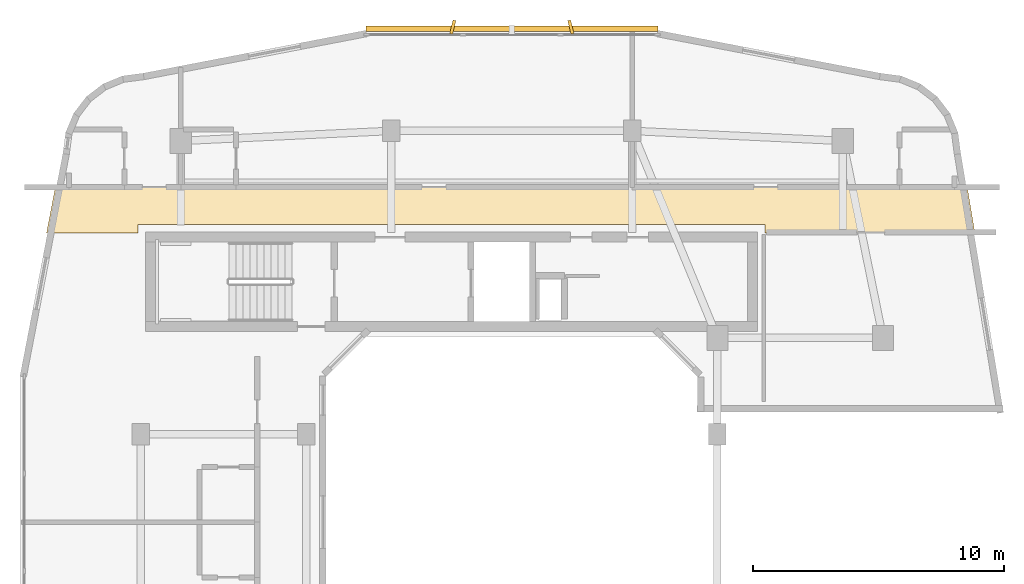
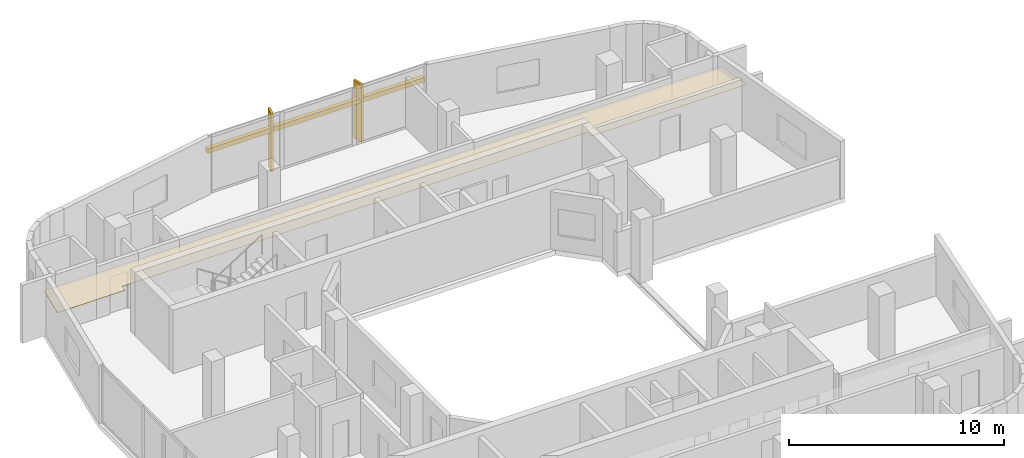
# One storey, part 12 of 12: 3 shading devices, 1 covering.
"""IFC4 building model written with IfcOpenShell, lengths in metres."""

from ifc_helpers import new_model, si_unit, derived_unit, direction, frame, origin, origin_2d, place, context, subcontext, project, spatial, polyline, rectangle, outline, extrude, material, layer, layer_set, type_object, element, save


model = new_model("IFC4")

# Units and contexts
model_context = context("Model", 3, precision=1e-05, world=origin(), true_north=direction((0.0, 1.0)))
body_context = subcontext(model_context, "Body", "Model", "MODEL_VIEW")
ifc_project = project(units=[si_unit("LENGTHUNIT", "METRE"), si_unit("AREAUNIT", "SQUARE_METRE"), si_unit("VOLUMEUNIT", "CUBIC_METRE"), si_unit("PLANEANGLEUNIT", "RADIAN"), si_unit("MASSUNIT", "GRAM", prefix="KILO"), derived_unit("THERMALTRANSMITTANCEUNIT", [(si_unit("POWERUNIT", "WATT"), 1), (si_unit("LENGTHUNIT", "METRE"), -2), (si_unit("THERMODYNAMICTEMPERATUREUNIT", "KELVIN"), -1)])], contexts=[model_context])

# Site, building, storey
site_placement = place(None, origin())
site = spatial("IfcSite", under=ifc_project, at=site_placement, CompositionType="ELEMENT")
building_placement = place(site_placement, origin())
building = spatial("IfcBuilding", under=site, at=building_placement, Name="Kivonza Crest Hotel", CompositionType="ELEMENT")
storey_placement = place(building_placement, frame((0.0, 0.0, 195.5)))
storey = spatial("IfcBuildingStorey", under=building, at=storey_placement, Name="L53", CompositionType="ELEMENT", Elevation=195.5)

# Covering
ifc_material_1 = material(Name="Moisture-resistant gypsum plasterboard ceiling", Category="gypsum")
ifc_layer = layer(ifc_material_1, 0.030029296875)
ifc_layer_set = layer_set([ifc_layer], Name="Moisture-resistant gypsum plasterboard ceiling")
covering_type = type_object("IfcCoveringType", Name="CV-CEIL-GYP", PredefinedType="CEILING", material=ifc_layer_set)
covering_placement = place(storey_placement, frame((0.0, 0.0, 2.449951171875)))
element("IfcCovering", 1, at=covering_placement, inside=storey, type_object=covering_type, Name="L53 Hotel North Guest Corridor suspended ceiling", PredefinedType="CEILING", context=body_context, shape_type="SweptSolid", body=[
    extrude(outline(polyline([(2.806884765625, 38.389892578125), (2.447021484375, 36.52001953125), (6.10009765625, 36.52001953125), (6.10009765625, 36.860107421875), (31.10009765625, 36.860107421875), (31.10009765625, 36.52001953125), (39.465087890625, 36.52001953125), (39.156982421875, 38.389892578125), (2.806884765625, 38.389892578125)])), origin(), (0.0, 0.0, 1.0), 0.030029296875),
])

# Shading devices
ifc_material_2 = material(Name="Kiln-fired Nairobi red-ochre terracotta", Category="masonry")
shading_device_type_1 = type_object("IfcShadingDeviceType", Name="SH-BAGUETTE-300", PredefinedType="USERDEFINED", material=ifc_material_2)
shading_device_placement = place(storey_placement, frame((21.0, 44.679931640625, 2.166015625), z_axis=(0.0, 0.0, 1.0), x_axis=(-1.0, 0.0, 0.0)))
element("IfcShadingDevice", 2, at=shading_device_placement, inside=storey, type_object=shading_device_type_1, Name="L53 terracotta baguette screen CW-T1-L53-36", ObjectType="BAGUETTE", PredefinedType="USERDEFINED", context=body_context, shape_type="SweptSolid", body=[
    extrude(rectangle(XDim=11.639892578125, YDim=0.219970703125, at=origin_2d()), origin(), (0.0, 0.0, 1.0), 0.260009765625),
])
ifc_material_3 = material(Name="Kiln-fired terracotta over extruded aluminium spine", Category="masonry")
shading_device_type_2 = type_object("IfcShadingDeviceType", Name="SH-FIN-550", PredefinedType="USERDEFINED", material=ifc_material_3)
for number, where, z_axis, x_axis, name in (
    (3, (23.35205078125, 44.739990234375, 0.0), (0.0, 0.0, 1.0), (-0.970295726276, -0.2419218956, 0.0), "L53 vertical solar shading fin CW-T1-L53-36-1"),
    (4, (18.64794921875, 44.739990234375, 0.0), (0.0, 0.0, 1.0), (-0.970295726276, 0.2419218956, 0.0), "L53 vertical solar shading fin CW-T1-L53-36-2"),
):
    element("IfcShadingDevice", number, at=place(storey_placement, frame(where, z_axis=z_axis, x_axis=x_axis)), inside=storey, type_object=shading_device_type_2, Name=name, ObjectType="FIN", PredefinedType="USERDEFINED", context=body_context, shape_type="SweptSolid", body=[
        extrude(rectangle(XDim=0.1201171875, YDim=0.550048828125, at=origin_2d()), origin(), (0.0, 0.0, 1.0), 3.280029296875),
    ])

save(model, "model.ifc")
